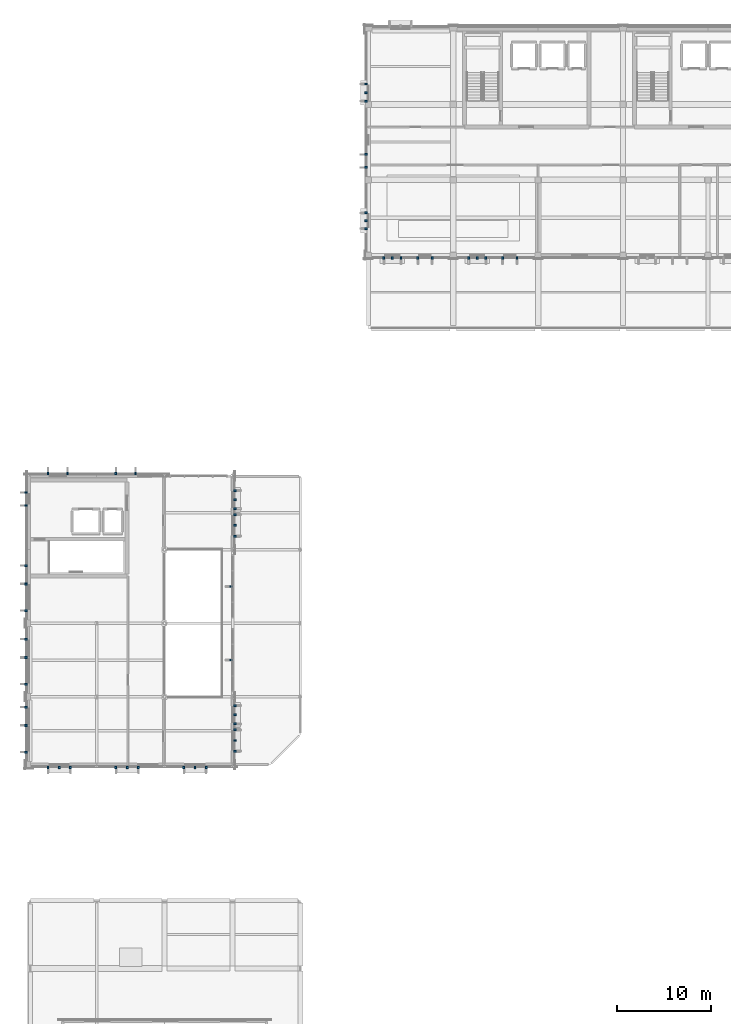
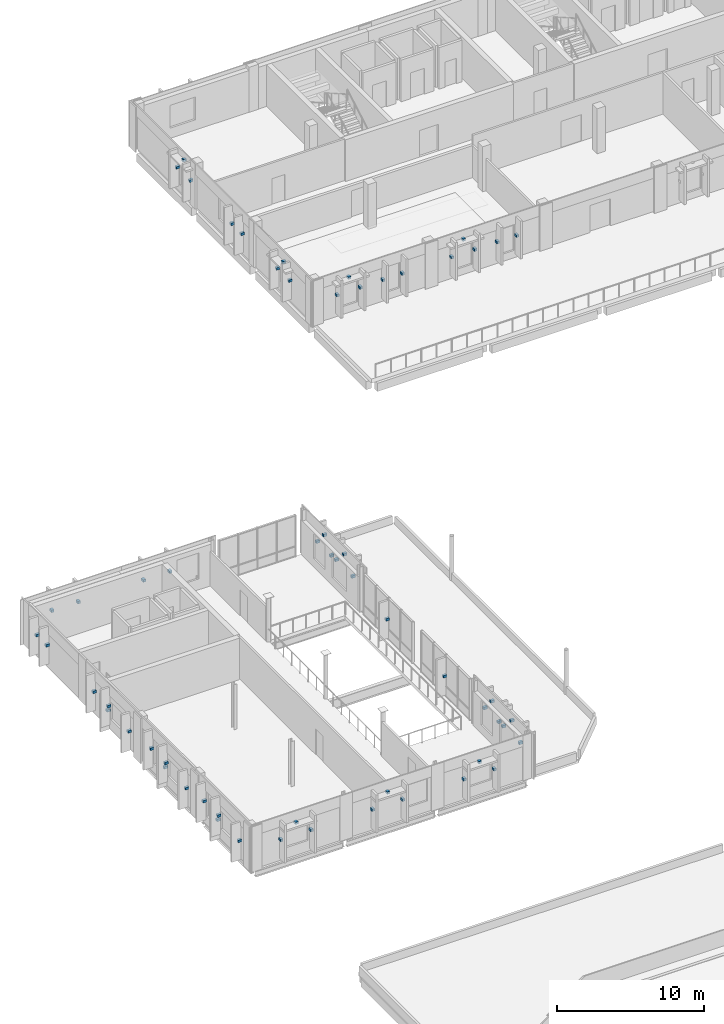
# One storey, part 15 of 23: 59 discrete accessories.
"""IFC4 building model written with IfcOpenShell, lengths in metres."""

from ifc_helpers import new_model, si_unit, direction, frame, origin, origin_2d, place, context, subcontext, project, spatial, rectangle, extrude, material, type_object, element, save


model = new_model("IFC4")

# Units and contexts
model_context = context("Model", 3, precision=1e-05, world=origin(), true_north=direction((0.0, 1.0)))
body_context = subcontext(model_context, "Body", "Model", "MODEL_VIEW")
ifc_project = project(units=[si_unit("LENGTHUNIT", "METRE"), si_unit("AREAUNIT", "SQUARE_METRE"), si_unit("VOLUMEUNIT", "CUBIC_METRE"), si_unit("PLANEANGLEUNIT", "RADIAN"), si_unit("MASSUNIT", "GRAM", prefix="KILO")], contexts=[model_context])

# Site, building, storey
site_placement = place(None, origin())
site = spatial("IfcSite", under=ifc_project, at=site_placement, CompositionType="ELEMENT")
building_placement = place(site_placement, origin())
building = spatial("IfcBuilding", under=site, at=building_placement, Name="Vervanel Yard Central Library", CompositionType="ELEMENT")
storey_placement = place(building_placement, frame((0.0, 0.0, 16.52001953125)))
storey = spatial("IfcBuildingStorey", under=building, at=storey_placement, Name="L04", CompositionType="ELEMENT", Elevation=16.52001953125)

# Discrete accessories
ifc_material = material(Name="Steel ASTM A572 Grade 50", Category="steel")
discrete_accessory_type = type_object("IfcDiscreteAccessoryType", Name="Stainless Solar Fin Fixing Bracket", PredefinedType="BRACKET", material=ifc_material)
for number, where, z_axis, x_axis, name in (
    (1, (37.639892578125, 89.7099609375, 1.7998046875), (0.0, 0.0, 1.0), (1.0, 0.0, 0.0), "L04 Solar Fin Bracket 179"),
    (2, (39.4599609375, 89.7099609375, 1.7998046875), (0.0, 0.0, 1.0), (1.0, 0.0, 0.0), "L04 Solar Fin Bracket 180"),
    (3, (38.550048828125, 89.7099609375, 2.9501953125), (0.0, 0.0, 1.0), (1.0, 0.0, 0.0), "L04 Sunhood Bracket 26"),
    (4, (41.239990234375, 89.7099609375, 1.7998046875), (0.0, 0.0, 1.0), (1.0, 0.0, 0.0), "L04 Solar Fin Bracket 181"),
    (5, (42.760009765625, 89.7099609375, 1.7998046875), (0.0, 0.0, 1.0), (1.0, 0.0, 0.0), "L04 Solar Fin Bracket 182"),
    (6, (46.639892578125, 89.7099609375, 1.7998046875), (0.0, 0.0, 1.0), (1.0, 0.0, 0.0), "L04 Solar Fin Bracket 183"),
    (7, (48.4599609375, 89.7099609375, 1.7998046875), (0.0, 0.0, 1.0), (1.0, 0.0, 0.0), "L04 Solar Fin Bracket 184"),
    (8, (47.550048828125, 89.7099609375, 2.9501953125), (0.0, 0.0, 1.0), (1.0, 0.0, 0.0), "L04 Sunhood Bracket 27"),
    (9, (50.239990234375, 89.7099609375, 1.7998046875), (0.0, 0.0, 1.0), (1.0, 0.0, 0.0), "L04 Solar Fin Bracket 185"),
    (10, (51.760009765625, 89.7099609375, 1.7998046875), (0.0, 0.0, 1.0), (1.0, 0.0, 0.0), "L04 Solar Fin Bracket 186"),
    (11, (35.72998046875, 92.840087890625, 1.77490234375), (0.0, 0.0, 1.0), (0.0, 1.0, 0.0), "L04 Solar Fin Bracket 195"),
    (12, (35.72998046875, 94.510009765625, 1.77490234375), (0.0, 0.0, 1.0), (0.0, 1.0, 0.0), "L04 Solar Fin Bracket 196"),
    (13, (35.72998046875, 93.675048828125, 2.7998046875), (0.0, 0.0, 1.0), (0.0, 1.0, 0.0), "L04 Sunhood Bracket 30"),
    (14, (35.72998046875, 99.340087890625, 1.72509765625), (0.0, 0.0, 1.0), (0.0, 1.0, 0.0), "L04 Solar Fin Bracket 197"),
    (15, (35.72998046875, 100.7099609375, 1.72509765625), (0.0, 0.0, 1.0), (0.0, 1.0, 0.0), "L04 Solar Fin Bracket 198"),
    (16, (35.72998046875, 106.340087890625, 1.89990234375), (0.0, 0.0, 1.0), (0.0, 1.0, 0.0), "L04 Solar Fin Bracket 199"),
    (17, (35.72998046875, 108.159912109375, 1.89990234375), (0.0, 0.0, 1.0), (0.0, 1.0, 0.0), "L04 Solar Fin Bracket 200"),
    (18, (35.72998046875, 107.25, 3.0498046875), (0.0, 0.0, 1.0), (0.0, 1.0, 0.0), "L04 Sunhood Bracket 31"),
    (19, (-0.2900390625, 37.340087890625, 1.47509765625), (0.0, 0.0, 1.0), (0.0, 1.0, 0.0), "L04 Solar Fin Bracket 395"),
    (20, (-0.2900390625, 40.2099609375, 1.47509765625), (0.0, 0.0, 1.0), (0.0, 1.0, 0.0), "L04 Solar Fin Bracket 396"),
    (21, (-0.2900390625, 40.139892578125, 1.875), (0.0, 0.0, 1.0), (0.0, 1.0, 0.0), "L04 Solar Fin Bracket 397"),
    (22, (-0.2900390625, 42.110107421875, 1.875), (0.0, 0.0, 1.0), (0.0, 1.0, 0.0), "L04 Solar Fin Bracket 398"),
    (23, (-0.2900390625, 44.5400390625, 1.47509765625), (0.0, 0.0, 1.0), (0.0, 1.0, 0.0), "L04 Solar Fin Bracket 399"),
    (24, (-0.2900390625, 47.409912109375, 1.47509765625), (0.0, 0.0, 1.0), (0.0, 1.0, 0.0), "L04 Solar Fin Bracket 400"),
    (25, (-0.2900390625, 47.340087890625, 1.875), (0.0, 0.0, 1.0), (0.0, 1.0, 0.0), "L04 Solar Fin Bracket 401"),
    (26, (-0.2900390625, 49.31005859375, 1.875), (0.0, 0.0, 1.0), (0.0, 1.0, 0.0), "L04 Solar Fin Bracket 402"),
    (27, (-0.2900390625, 52.340087890625, 1.47509765625), (0.0, 0.0, 1.0), (0.0, 1.0, 0.0), "L04 Solar Fin Bracket 403"),
    (28, (-0.2900390625, 55.2099609375, 1.47509765625), (0.0, 0.0, 1.0), (0.0, 1.0, 0.0), "L04 Solar Fin Bracket 404"),
    (29, (-0.2900390625, 55.139892578125, 1.875), (0.0, 0.0, 1.0), (0.0, 1.0, 0.0), "L04 Solar Fin Bracket 405"),
    (30, (-0.2900390625, 57.110107421875, 1.875), (0.0, 0.0, 1.0), (0.0, 1.0, 0.0), "L04 Solar Fin Bracket 406"),
    (31, (-0.2900390625, 63.489990234375, 1.875), (0.0, 0.0, 1.0), (0.0, 1.0, 0.0), "L04 Solar Fin Bracket 407"),
    (32, (-0.2900390625, 64.860107421875, 1.875), (0.0, 0.0, 1.0), (0.0, 1.0, 0.0), "L04 Solar Fin Bracket 408"),
    (33, (21.8701171875, 37.43994140625, 1.7998046875), (0.0, 0.0, 1.0), (0.0, 1.0, 0.0), "L04 Solar Fin Bracket 409"),
    (34, (21.8701171875, 39.7099609375, 1.7998046875), (0.0, 0.0, 1.0), (0.0, 1.0, 0.0), "L04 Solar Fin Bracket 410"),
    (35, (21.8701171875, 38.574951171875, 2.9501953125), (0.0, 0.0, 1.0), (0.0, 1.0, 0.0), "L04 Sunhood Bracket 87"),
    (36, (21.8701171875, 40.340087890625, 1.77490234375), (0.0, 0.0, 1.0), (0.0, 1.0, 0.0), "L04 Solar Fin Bracket 411"),
    (37, (21.8701171875, 42.260009765625, 1.77490234375), (0.0, 0.0, 1.0), (0.0, 1.0, 0.0), "L04 Solar Fin Bracket 412"),
    (38, (21.8701171875, 41.300048828125, 2.89990234375), (0.0, 0.0, 1.0), (0.0, 1.0, 0.0), "L04 Sunhood Bracket 88"),
    (39, (21.469970703125, 47.10009765625, 1.6201171875), (0.0, 0.0, 1.0), (0.0, 1.0, 0.0), "L04 Solar Fin Bracket 413"),
    (40, (21.469970703125, 54.89990234375, 1.6201171875), (0.0, 0.0, 1.0), (0.0, 1.0, 0.0), "L04 Solar Fin Bracket 414"),
    (41, (21.8701171875, 60.239990234375, 1.7998046875), (0.0, 0.0, 1.0), (0.0, 1.0, 0.0), "L04 Solar Fin Bracket 415"),
    (42, (21.8701171875, 62.510009765625, 1.7998046875), (0.0, 0.0, 1.0), (0.0, 1.0, 0.0), "L04 Solar Fin Bracket 416"),
    (43, (21.8701171875, 61.375, 2.9501953125), (0.0, 0.0, 1.0), (0.0, 1.0, 0.0), "L04 Sunhood Bracket 89"),
    (44, (21.8701171875, 63.139892578125, 1.77490234375), (0.0, 0.0, 1.0), (0.0, 1.0, 0.0), "L04 Solar Fin Bracket 417"),
    (45, (21.8701171875, 65.06005859375, 1.77490234375), (0.0, 0.0, 1.0), (0.0, 1.0, 0.0), "L04 Solar Fin Bracket 418"),
    (46, (21.8701171875, 64.10009765625, 2.89990234375), (0.0, 0.0, 1.0), (0.0, 1.0, 0.0), "L04 Sunhood Bracket 90"),
    (47, (2.0400390625, 66.889892578125, 1.875), (0.0, 0.0, 1.0), (1.0, 0.0, 0.0), "L04 Solar Fin Bracket 419"),
    (48, (4.110107421875, 66.889892578125, 1.875), (0.0, 0.0, 1.0), (1.0, 0.0, 0.0), "L04 Solar Fin Bracket 420"),
    (49, (2.0400390625, 35.7099609375, 1.72509765625), (0.0, 0.0, 1.0), (1.0, 0.0, 0.0), "L04 Solar Fin Bracket 421"),
    (50, (4.409912109375, 35.7099609375, 1.72509765625), (0.0, 0.0, 1.0), (1.0, 0.0, 0.0), "L04 Solar Fin Bracket 422"),
    (51, (3.22509765625, 35.7099609375, 2.75), (0.0, 0.0, 1.0), (1.0, 0.0, 0.0), "L04 Sunhood Bracket 91"),
    (52, (9.239990234375, 66.889892578125, 1.875), (0.0, 0.0, 1.0), (1.0, 0.0, 0.0), "L04 Solar Fin Bracket 423"),
    (53, (11.31005859375, 66.889892578125, 1.875), (0.0, 0.0, 1.0), (1.0, 0.0, 0.0), "L04 Solar Fin Bracket 424"),
    (54, (9.239990234375, 35.7099609375, 1.72509765625), (0.0, 0.0, 1.0), (1.0, 0.0, 0.0), "L04 Solar Fin Bracket 425"),
    (55, (11.610107421875, 35.7099609375, 1.72509765625), (0.0, 0.0, 1.0), (1.0, 0.0, 0.0), "L04 Solar Fin Bracket 426"),
    (56, (10.425048828125, 35.7099609375, 2.75), (0.0, 0.0, 1.0), (1.0, 0.0, 0.0), "L04 Sunhood Bracket 92"),
    (57, (16.43994140625, 35.7099609375, 1.72509765625), (0.0, 0.0, 1.0), (1.0, 0.0, 0.0), "L04 Solar Fin Bracket 427"),
    (58, (18.81005859375, 35.7099609375, 1.72509765625), (0.0, 0.0, 1.0), (1.0, 0.0, 0.0), "L04 Solar Fin Bracket 428"),
    (59, (17.625, 35.7099609375, 2.75), (0.0, 0.0, 1.0), (1.0, 0.0, 0.0), "L04 Sunhood Bracket 93"),
):
    element("IfcDiscreteAccessory", number, at=place(storey_placement, frame(where, z_axis=z_axis, x_axis=x_axis)), inside=storey, type_object=discrete_accessory_type, Name=name, PredefinedType="BRACKET", context=body_context, shape_type="SweptSolid", body=[
        extrude(rectangle(XDim=0.199951171875, YDim=0.280029296875, at=origin_2d()), origin(), (0.0, 0.0, 1.0), 0.199951171875),
    ])

save(model, "model.ifc")
